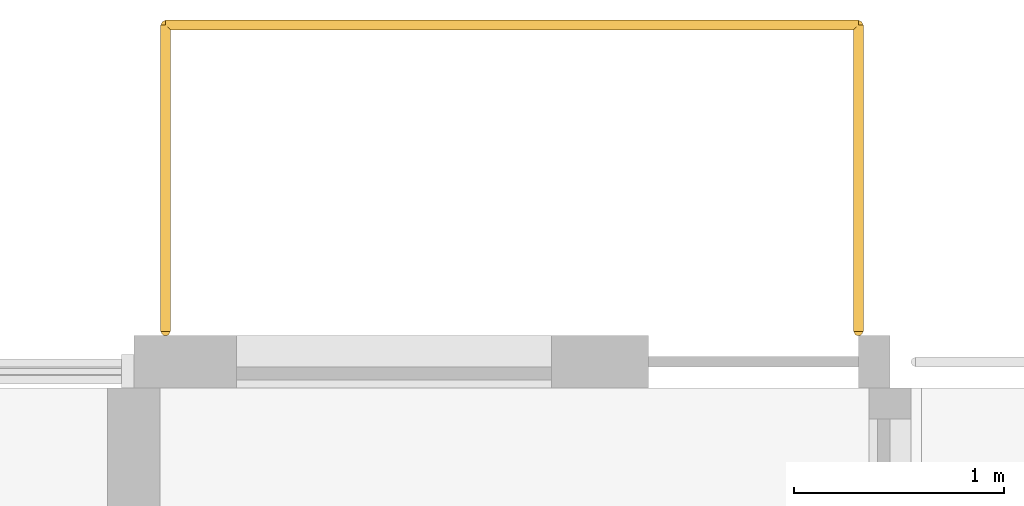
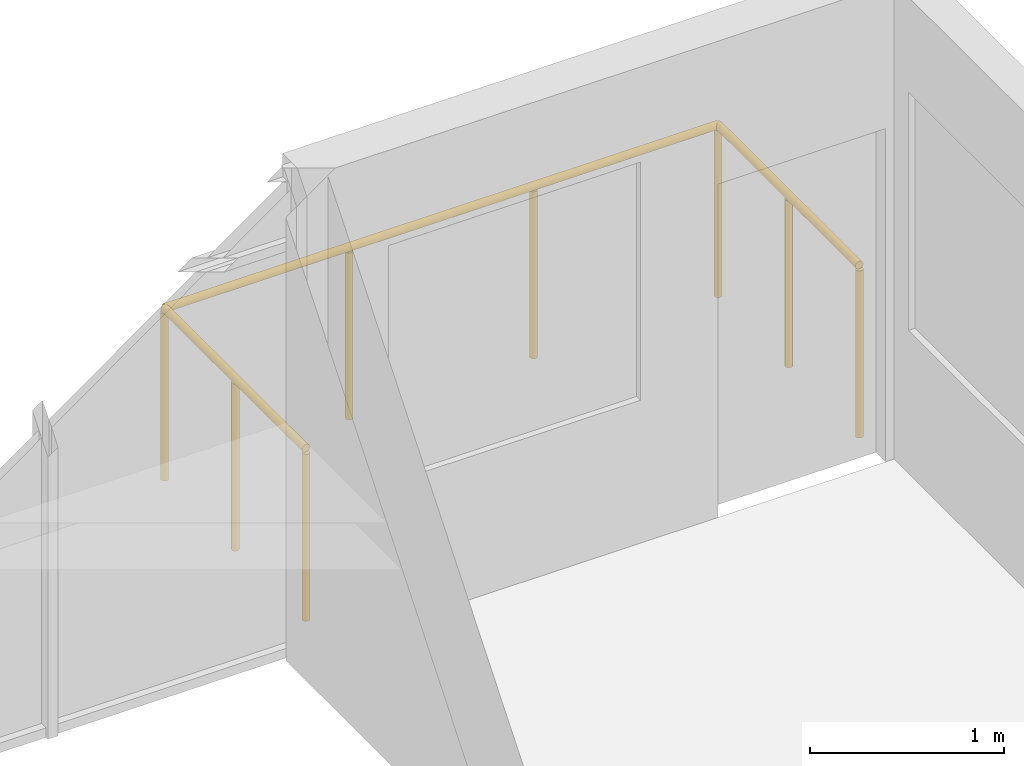
# One storey, part 62 of 64: 1 railing.
"""IFC4 building model written with IfcOpenShell, lengths in metres."""

import ifcopenshell
import ifcopenshell.guid

model = None  # the IFC model being written
_history = None  # IfcOwnerHistory: only IFC2X3 demands one
_inside = {}  # id of a spatial element -> (the spatial element, [elements in it])
_under = {}  # id of a project, library or spatial element -> (it, [spatial elements below it])
_declared = {}  # id of a project -> (the project, [libraries it declares])
_typed = {}  # id of a type object -> (the type object, [elements of that type])
_made_of = {}  # id of a material, layer set ... -> (it, [elements and type objects made of it])


def new_model(schema):
    """Start an empty IFC model of exactly this schema.

    Asked for "IFC4X3", IfcOpenShell would pick the latest addendum, in which some entities
    have other attributes; the version numbers below select the first issue.
    IFC2X3 requires an IfcOwnerHistory on every rooted entity: one is made here for all.
    """
    global model, _history
    if schema == "IFC4X3":
        model = ifcopenshell.file(schema_version=(4, 3, 0, 0))
    else:
        model = ifcopenshell.file(schema=schema)
    _inside.clear()
    _under.clear()
    _declared.clear()
    _typed.clear()
    _made_of.clear()
    _history = None
    if model.schema == "IFC2X3":
        org = make("IfcOrganization", Name="unknown")
        user = make(
            "IfcPersonAndOrganization",
            ThePerson=make("IfcPerson", FamilyName="unknown"),
            TheOrganization=org,
        )
        app = make(
            "IfcApplication",
            ApplicationDeveloper=org,
            Version="unknown",
            ApplicationFullName="unknown",
            ApplicationIdentifier="unknown",
        )
        _history = make(
            "IfcOwnerHistory",
            OwningUser=user,
            OwningApplication=app,
            ChangeAction="ADDED",
            CreationDate=0,
        )
    return model


def make(cls, **values):
    """One entity of the class cls with the attributes given. An attribute that is None is left unset."""
    return model.create_entity(
        cls, **{name: value for name, value in values.items() if value is not None}
    )


def rooted(cls, **values):
    """An entity with a GlobalId (a new one), such as an element, a storey or a relation."""
    return make(cls, GlobalId=ifcopenshell.guid.new(), OwnerHistory=_history, **values)


def si_unit(unit_type, name, prefix=None):
    """IfcSIUnit, for example si_unit("LENGTHUNIT", "METRE", prefix="MILLI")."""
    return make("IfcSIUnit", UnitType=unit_type, Prefix=prefix, Name=name)


def assignment(units):
    """IfcUnitAssignment: the units of a project."""
    return None if units is None else make("IfcUnitAssignment", Units=units)


def point(xyz):
    """IfcCartesianPoint."""
    return None if xyz is None else make("IfcCartesianPoint", Coordinates=xyz)


def direction(xyz):
    """IfcDirection."""
    return None if xyz is None else make("IfcDirection", DirectionRatios=xyz)


def frame(location, z_axis=None, x_axis=None):
    """IfcAxis2Placement3D, a coordinate frame: its origin and axes. An axis left out is left unset."""
    return make(
        "IfcAxis2Placement3D",
        Location=point(location),
        Axis=direction(z_axis),
        RefDirection=direction(x_axis),
    )


def frame_2d(location, x_axis=None):
    """IfcAxis2Placement2D, a coordinate frame in the plane: its origin and x axis."""
    return make(
        "IfcAxis2Placement2D", Location=point(location), RefDirection=direction(x_axis)
    )


def origin():
    """The frame at (0, 0, 0) with its axes left unset."""
    return frame((0.0, 0.0, 0.0))


def origin_2d():
    """The frame at (0, 0) in the plane with its x axis left unset."""
    return frame_2d((0.0, 0.0))


def place(relative_to, where):
    """IfcLocalPlacement: puts the frame where relative to a parent placement (None: the world)."""
    return make(
        "IfcLocalPlacement", PlacementRelTo=relative_to, RelativePlacement=where
    )


def context(
    kind, dimensions, precision=None, world=None, true_north=None, identifier=None
):
    """IfcGeometricRepresentationContext, for example the 3D "Model" context."""
    return make(
        "IfcGeometricRepresentationContext",
        ContextIdentifier=identifier,
        ContextType=kind,
        CoordinateSpaceDimension=dimensions,
        Precision=precision,
        WorldCoordinateSystem=world,
        TrueNorth=true_north,
    )


def subcontext(parent, identifier, kind, view, scale=None):
    """IfcGeometricRepresentationSubContext, for example "Body" below "Model"."""
    return make(
        "IfcGeometricRepresentationSubContext",
        ContextIdentifier=identifier,
        ContextType=kind,
        ParentContext=parent,
        TargetScale=scale,
        TargetView=view,
    )


def project(units=None, contexts=None):
    """IfcProject with its units and contexts."""
    return rooted(
        "IfcProject",
        Name="project",
        RepresentationContexts=contexts,
        UnitsInContext=assignment(units),
    )


def spatial(cls, under=None, at=None, **own):
    """A site, building, storey or space (cls), placed at a placement, below another one or the project."""
    s = rooted(cls, ObjectPlacement=at, **own)
    if under is not None:
        _under.setdefault(under.id(), (under, []))[1].append(s)
    return s


def profile(cls, at=None, kind="AREA", **sizes):
    """A parametric profile (cls). Its sizes go by their IFC names, for example OverallWidth=200.0."""
    return make(cls, ProfileType=kind, Position=at, **sizes)


def circle(**sizes):
    """IfcCircleProfileDef."""
    return profile("IfcCircleProfileDef", **sizes)


def extrude(swept, where, along, depth):
    """IfcExtrudedAreaSolid: the profile swept, set in the frame where, extruded along a direction by depth."""
    return make(
        "IfcExtrudedAreaSolid",
        SweptArea=swept,
        Position=where,
        ExtrudedDirection=direction(along),
        Depth=depth,
    )


def shape(context_of_items, identifier, shape_type, items):
    """IfcShapeRepresentation: the items that make up one representation, for example the "Body"."""
    return make(
        "IfcShapeRepresentation",
        ContextOfItems=context_of_items,
        RepresentationIdentifier=identifier,
        RepresentationType=shape_type,
        Items=items,
    )


def material(Name=None, Category=None):
    """IfcMaterial."""
    return make("IfcMaterial", Name=Name, Category=Category)


def made_of(thing, what):
    """Note that an element or type object is made of a material, layer set ...; save() writes the relation."""
    if what is not None:
        _made_of.setdefault(what.id(), (what, []))[1].append(thing)
    return thing


def type_object(cls, material=None, **own):
    """A type object (cls), such as IfcWallType, which elements share."""
    return made_of(rooted(cls, **own), material)


def element(
    cls,
    number,
    at=None,
    inside=None,
    cuts=None,
    type_object=None,
    material=None,
    context=None,
    identifier="Body",
    shape_type=None,
    held_by="IfcProductDefinitionShape",
    body=None,
    shapes=None,
    **own,
):
    """One element of the class cls, such as IfcWall. Its Tag is "e" and its number.

    at: its placement. inside: the storey or other place that contains it. cuts: it is an
    opening in that element (IfcRelVoidsElement). A single representation is given by context,
    identifier, shape_type and body (its items); several are given by shapes. held_by: the class
    of the entity that holds the representations. save() writes the other relations.
    """
    e = rooted(cls, Tag="e%d" % number, ObjectPlacement=at, **own)
    if body is not None:
        shapes = [shape(context, identifier, shape_type, body)]
    if shapes is not None:
        e.Representation = make(held_by, Representations=shapes)
    if inside is not None:
        _inside.setdefault(inside.id(), (inside, []))[1].append(e)
    if cuts is not None:
        rooted(
            "IfcRelVoidsElement", RelatingBuildingElement=cuts, RelatedOpeningElement=e
        )
    if type_object is not None:
        _typed.setdefault(type_object.id(), (type_object, []))[1].append(e)
    return made_of(e, material)


def aggregate(whole, parts):
    """IfcRelAggregates: a whole, such as a stair, and the parts it consists of."""
    return rooted("IfcRelAggregates", RelatingObject=whole, RelatedObjects=parts)


def save(model, path):
    """Write the relations noted so far, then the file.

    IfcRelAggregates (storeys below a building ...), IfcRelContainedInSpatialStructure (elements
    in a storey), IfcRelDefinesByType, IfcRelAssociatesMaterial and IfcRelDeclares: one each for
    every whole, place, type object, material and project.
    """
    for whole, parts in _under.values():
        aggregate(whole, parts)
    for where, things in _inside.values():
        rooted(
            "IfcRelContainedInSpatialStructure",
            RelatedElements=things,
            RelatingStructure=where,
        )
    for kind, things in _typed.values():
        rooted("IfcRelDefinesByType", RelatedObjects=things, RelatingType=kind)
    for what, things in _made_of.values():
        rooted("IfcRelAssociatesMaterial", RelatedObjects=things, RelatingMaterial=what)
    for by, libraries in _declared.values():
        rooted("IfcRelDeclares", RelatingContext=by, RelatedDefinitions=libraries)
    model.write(path)


model = new_model("IFC4")

# Units and contexts
model_context = context("Model", 3, precision=1e-05, world=origin(), true_north=direction((0.0, 1.0)))
body_context = subcontext(model_context, "Body", "Model", "MODEL_VIEW")
ifc_project = project(units=[si_unit("LENGTHUNIT", "METRE"), si_unit("AREAUNIT", "SQUARE_METRE"), si_unit("VOLUMEUNIT", "CUBIC_METRE"), si_unit("PLANEANGLEUNIT", "RADIAN"), si_unit("MASSUNIT", "GRAM", prefix="KILO")], contexts=[model_context])

# Site, building, storey
site_placement = place(None, origin())
site = spatial("IfcSite", under=ifc_project, at=site_placement, CompositionType="ELEMENT")
building_placement = place(site_placement, origin())
building = spatial("IfcBuilding", under=site, at=building_placement, Name="Ridgestep Commons", CompositionType="ELEMENT")
storey_placement = place(building_placement, frame((0.0, 0.0, 33.0)))
storey = spatial("IfcBuildingStorey", under=building, at=storey_placement, Name="L11", CompositionType="ELEMENT", Elevation=33.0)

# Railing
ifc_material = material(Name="Weathering steel S355J2W", Category="steel")
railing_type = type_object("IfcRailingType", Name="Tray guard 1100", PredefinedType="GUARDRAIL", material=ifc_material)
railing_placement = place(storey_placement, frame((186.551025390625, 77.27099609375, 0.0)))
element("IfcRailing", 1, at=railing_placement, inside=storey, type_object=railing_type, Name="Tray guard C3T3-11", PredefinedType="GUARDRAIL", context=body_context, shape_type="SweptSolid", body=[
    extrude(circle(Radius=0.02392578125, at=origin_2d()), frame((0.0, 0.0, 1.076171875), z_axis=(0.0, 1.0, 0.0), x_axis=(-1.0, 0.0, 0.0)), (0.0, 0.0, 1.0), 1.4580078125),
    extrude(circle(Radius=0.02392578125, at=origin_2d()), frame((0.0, 1.4580078125, 1.076171875), z_axis=(1.0, 0.0, 0.0), x_axis=(0.0, 1.0, 0.0)), (0.0, 0.0, 1.0), 3.298095703125),
    extrude(circle(Radius=0.02392578125, at=origin_2d()), frame((3.298095703125, 1.4580078125, 1.076171875), z_axis=(0.0, -1.0, 0.0), x_axis=(1.0, 0.0, 0.0)), (0.0, 0.0, 1.0), 1.4580078125),
    extrude(circle(Radius=0.02099609375, at=origin_2d()), origin(), (0.0, 0.0, 1.0), 1.052001953125),
    extrude(circle(Radius=0.02099609375, at=origin_2d()), frame((0.0, 0.72900390625, 0.0)), (0.0, 0.0, 1.0), 1.052001953125),
    extrude(circle(Radius=0.02099609375, at=origin_2d()), frame((0.0, 1.4580078125, 0.0)), (0.0, 0.0, 1.0), 1.052001953125),
    extrude(circle(Radius=0.02099609375, at=origin_2d()), frame((1.099365234375, 1.4580078125, 0.0)), (0.0, 0.0, 1.0), 1.052001953125),
    extrude(circle(Radius=0.02099609375, at=origin_2d()), frame((2.19873046875, 1.4580078125, 0.0)), (0.0, 0.0, 1.0), 1.052001953125),
    extrude(circle(Radius=0.02099609375, at=origin_2d()), frame((3.298095703125, 1.4580078125, 0.0)), (0.0, 0.0, 1.0), 1.052001953125),
    extrude(circle(Radius=0.02099609375, at=origin_2d()), frame((3.298095703125, 0.72900390625, 0.0)), (0.0, 0.0, 1.0), 1.052001953125),
    extrude(circle(Radius=0.02099609375, at=origin_2d()), frame((3.298095703125, 0.0, 0.0)), (0.0, 0.0, 1.0), 1.052001953125),
])

save(model, "model.ifc")
